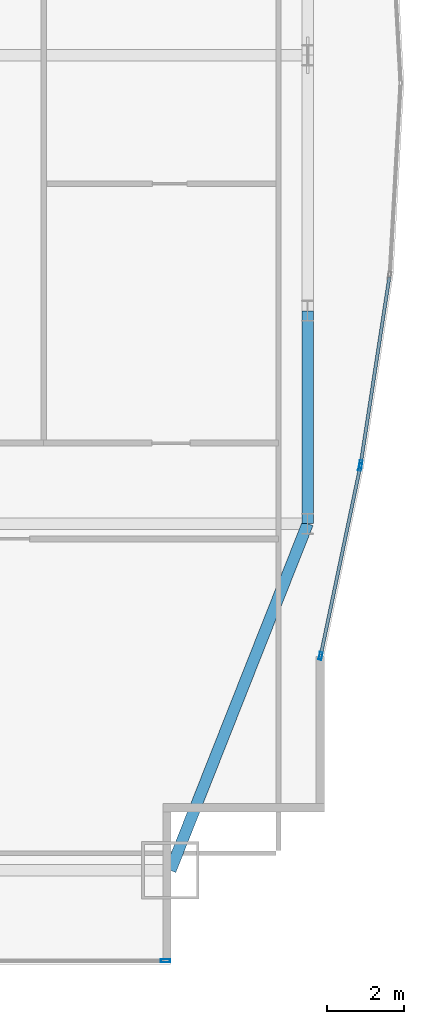
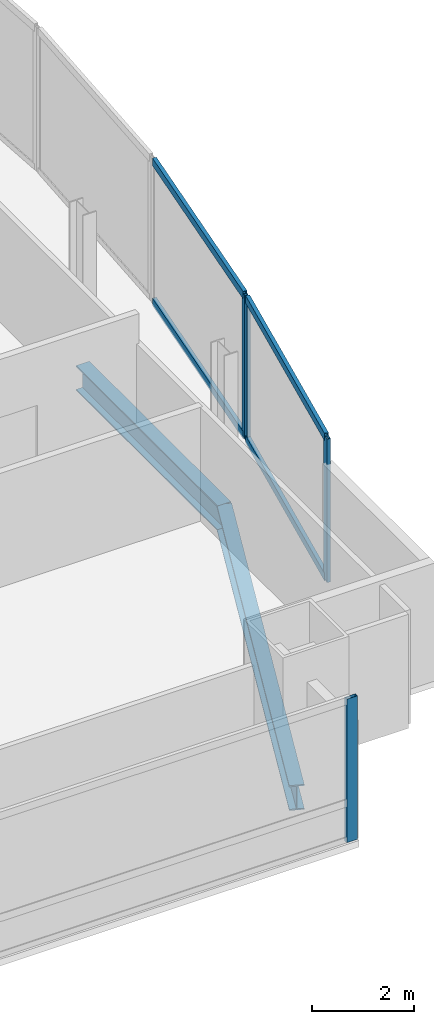
# One storey, part 21 of 33: 8 members, 2 beams, 3 elements without a shape of their own.
"""IFC4 building model written with IfcOpenShell, lengths in metres."""

from ifc_helpers import new_model, si_unit, direction, frame, origin, origin_2d, place, context, subcontext, project, spatial, hollow_rectangle, i_section, extrude, material, material_profile, profile_set, type_object, element, aggregate, save


model = new_model("IFC4")

# Units and contexts
model_context = context("Model", 3, precision=1e-05, world=origin(), true_north=direction((0.0, 1.0)))
body_context = subcontext(model_context, "Body", "Model", "MODEL_VIEW")
ifc_project = project(units=[si_unit("LENGTHUNIT", "METRE"), si_unit("AREAUNIT", "SQUARE_METRE"), si_unit("VOLUMEUNIT", "CUBIC_METRE"), si_unit("PLANEANGLEUNIT", "RADIAN"), si_unit("MASSUNIT", "GRAM", prefix="KILO")], contexts=[model_context])

# Site, building, storey
site_placement = place(None, origin())
site = spatial("IfcSite", under=ifc_project, at=site_placement, CompositionType="ELEMENT")
building_placement = place(site_placement, origin())
building = spatial("IfcBuilding", under=site, at=building_placement, Name="Khoronbel Lancet Exchange", CompositionType="ELEMENT")
storey_placement = place(building_placement, frame((0.0, 0.0, 114.60009765625)))
storey = spatial("IfcBuildingStorey", under=building, at=storey_placement, Name="L27", CompositionType="ELEMENT", Elevation=114.60009765625)

# Beams
ifc_material_1 = material(Name="Steel S355", Category="steel")
ifc_material_profile_1 = material_profile(ifc_material_1, i_section(OverallWidth=0.300048828125, OverallDepth=0.60009765625, WebThickness=0.015380859375, FlangeThickness=0.030029296875, at=origin_2d()), Name="HEB 600")
ifc_profile_set_1 = profile_set([ifc_material_profile_1], Name="Steel S355")
beam_type = type_object("IfcBeamType", Name="BM-BSP2", PredefinedType="SPANDREL", material=ifc_profile_set_1)
beam_1_placement = place(storey_placement, frame((66.050048828125, 10.14990234375, -0.460205078125), z_axis=(0.367828403855, 0.929893684954, 0.0), x_axis=(-0.929893684954, 0.367828403855, 0.0)))
element("IfcBeam", 1, at=beam_1_placement, inside=storey, type_object=beam_type, Name="Level L27 perimeter spandrel beam SP10", PredefinedType="SPANDREL", context=body_context, shape_type="SweptSolid", body=[
    extrude(i_section(OverallWidth=0.300048828125, OverallDepth=0.60009765625, WebThickness=0.015380859375, FlangeThickness=0.030029296875, at=origin_2d()), origin(), (0.0, 0.0, 1.0), 9.732421875),
])
beam_2_placement = place(storey_placement, frame((69.6298828125, 19.199951171875, -0.460205078125), z_axis=(0.0, 1.0, 0.0), x_axis=(-1.0, 0.0, 0.0)))
element("IfcBeam", 2, at=beam_2_placement, inside=storey, type_object=beam_type, Name="Level L27 perimeter spandrel beam SP11", PredefinedType="SPANDREL", context=body_context, shape_type="SweptSolid", body=[
    extrude(i_section(OverallWidth=0.300048828125, OverallDepth=0.60009765625, WebThickness=0.015380859375, FlangeThickness=0.030029296875, at=origin_2d()), origin(), (0.0, 0.0, 1.0), 5.550048828125),
])

# Curtain wall, member
ifc_material_2 = material(Name="Low-E Solar Control Insulating Glass", Category="glass")
curtain_wall_type_1 = type_object("IfcCurtainWallType", Name="CW-2", PredefinedType="NOTDEFINED", material=ifc_material_2)
curtain_wall_1_placement = place(storey_placement, origin())
curtain_wall_1 = element("IfcCurtainWall", 3, at=curtain_wall_1_placement, inside=storey, type_object=curtain_wall_type_1, Name="Unitised curtain wall CW-L27-SEV", PredefinedType="NOTDEFINED")
ifc_material_3 = material(Name="Bronze-Anodised Aluminium 6063-T6", Category="aluminium")
ifc_material_profile_2 = material_profile(ifc_material_3, hollow_rectangle(XDim=0.0849609375, YDim=0.239990234375, WallThickness=0.006103515625, at=origin_2d()), Name="ALU MULLION 85x240")
ifc_profile_set_2 = profile_set([ifc_material_profile_2], Name="Bronze-Anodised Aluminium 6063-T6")
member_type_1 = type_object("IfcMemberType", Name="MEM-CWM1", PredefinedType="MULLION", material=ifc_profile_set_2)
member_1_placement = place(storey_placement, frame((65.91748046875, 7.7900390625, 0.0), z_axis=(0.0, 0.0, 1.0), x_axis=(0.0, 1.0, 0.0)))
member_1 = element("IfcMember", 4, at=member_1_placement, type_object=member_type_1, Name="CW2 mullion 2", PredefinedType="MULLION", context=body_context, shape_type="SweptSolid", body=[
    extrude(hollow_rectangle(XDim=0.0849609375, YDim=0.239990234375, WallThickness=0.006103515625, at=origin_2d()), origin(), (0.0, 0.0, 1.0), 3.43994140625),
])
aggregate(curtain_wall_1, [member_1])

curtain_wall_type_2 = type_object("IfcCurtainWallType", Name="CW-4", PredefinedType="NOTDEFINED", material=ifc_material_2)
curtain_wall_2_placement = place(storey_placement, origin())
curtain_wall_2 = element("IfcCurtainWall", 5, at=curtain_wall_2_placement, inside=storey, type_object=curtain_wall_type_2, Name="Unitised curtain wall CW-L27-E21", PredefinedType="NOTDEFINED")
ifc_material_profile_3 = material_profile(ifc_material_3, hollow_rectangle(XDim=0.074951171875, YDim=0.199951171875, WallThickness=0.0048828125, at=origin_2d()), Name="ALU MULLION 75x200")
ifc_profile_set_3 = profile_set([ifc_material_profile_3], Name="Bronze-Anodised Aluminium 6063-T6")
member_type_2 = type_object("IfcMemberType", Name="MEM-CWM2", PredefinedType="MULLION", material=ifc_profile_set_3)
member_2_placement = place(storey_placement, frame((71.013916015625, 20.753173828125, 0.0), z_axis=(0.0, 0.0, 1.0), x_axis=(0.988454851149, -0.151515699646, 0.0)))
member_2 = element("IfcMember", 6, at=member_2_placement, type_object=member_type_2, Name="CW4 mullion 2", PredefinedType="MULLION", context=body_context, shape_type="SweptSolid", body=[
    extrude(hollow_rectangle(XDim=0.074951171875, YDim=0.199951171875, WallThickness=0.0048828125, at=origin_2d()), origin(), (0.0, 0.0, 1.0), 3.43994140625),
])

# Curtain wall, members
curtain_wall_3_placement = place(storey_placement, origin())
curtain_wall_3 = element("IfcCurtainWall", 7, at=curtain_wall_3_placement, inside=storey, type_object=curtain_wall_type_2, Name="Unitised curtain wall CW-L27-E22", PredefinedType="NOTDEFINED")
member_3_placement = place(storey_placement, frame((71.00048828125, 20.679443359375, 0.0), z_axis=(0.0, 0.0, 1.0), x_axis=(0.978780231613, -0.204912806344, 0.0)))
member_3 = element("IfcMember", 8, at=member_3_placement, type_object=member_type_2, Name="CW4 mullion 1", PredefinedType="MULLION", context=body_context, shape_type="SweptSolid", body=[
    extrude(hollow_rectangle(XDim=0.074951171875, YDim=0.199951171875, WallThickness=0.0048828125, at=origin_2d()), origin(), (0.0, 0.0, 1.0), 3.43994140625),
])
member_4_placement = place(storey_placement, frame((69.9677734375, 15.74609375, 0.0), z_axis=(0.0, 0.0, 1.0), x_axis=(0.978780231613, -0.204912806344, 0.0)))
member_4 = element("IfcMember", 9, at=member_4_placement, type_object=member_type_2, Name="CW4 mullion 2", PredefinedType="MULLION", context=body_context, shape_type="SweptSolid", body=[
    extrude(hollow_rectangle(XDim=0.074951171875, YDim=0.199951171875, WallThickness=0.0048828125, at=origin_2d()), origin(), (0.0, 0.0, 1.0), 3.43994140625),
])

# Member
ifc_material_profile_4 = material_profile(ifc_material_3, hollow_rectangle(XDim=0.0849609375, YDim=0.179931640625, WallThickness=0.0048828125, at=origin_2d()), Name="ALU TRANSOM 85x180")
ifc_profile_set_4 = profile_set([ifc_material_profile_4], Name="Bronze-Anodised Aluminium 6063-T6")
member_type_3 = type_object("IfcMemberType", Name="MEM-CWT1", PredefinedType="USERDEFINED", material=ifc_profile_set_4)
member_5_placement = place(storey_placement, frame((71.76220703125, 25.63525390625, 0.04248046875), z_axis=(-0.151518190758, -0.988454469295, 0.0), x_axis=(0.988454469295, -0.151518190758, 0.0)))
member_5 = element("IfcMember", 10, at=member_5_placement, type_object=member_type_3, Name="CW4 transom 1.1", ObjectType="TRANSOM", PredefinedType="USERDEFINED", context=body_context, shape_type="SweptSolid", body=[
    extrude(hollow_rectangle(XDim=0.0849609375, YDim=0.179931640625, WallThickness=0.0048828125, at=origin_2d()), origin(), (0.0, 0.0, 1.0), 4.901611328125),
])

member_6_placement = place(storey_placement, frame((71.76220703125, 25.63525390625, 3.3974609375), z_axis=(-0.151518190758, -0.988454469295, 0.0), x_axis=(0.988454469295, -0.151518190758, 0.0)))
member_6 = element("IfcMember", 11, at=member_6_placement, type_object=member_type_3, Name="CW4 transom 1.2", ObjectType="TRANSOM", PredefinedType="USERDEFINED", context=body_context, shape_type="SweptSolid", body=[
    extrude(hollow_rectangle(XDim=0.0849609375, YDim=0.179931640625, WallThickness=0.0048828125, at=origin_2d()), origin(), (0.0, 0.0, 1.0), 4.901611328125),
])

aggregate(curtain_wall_2, [member_2, member_5, member_6])

member_7_placement = place(storey_placement, frame((70.992919921875, 20.642578125, 0.04248046875), z_axis=(-0.204939838042, -0.978774571995, 0.0), x_axis=(0.978774571995, -0.204939838042, 0.0)))
member_7 = element("IfcMember", 12, at=member_7_placement, type_object=member_type_3, Name="CW4 transom 1.1", ObjectType="TRANSOM", PredefinedType="USERDEFINED", context=body_context, shape_type="SweptSolid", body=[
    extrude(hollow_rectangle(XDim=0.0849609375, YDim=0.179931640625, WallThickness=0.0048828125, at=origin_2d()), origin(), (0.0, 0.0, 1.0), 4.96533203125),
])

member_8_placement = place(storey_placement, frame((70.992919921875, 20.642578125, 3.3974609375), z_axis=(-0.204939838042, -0.978774571995, 0.0), x_axis=(0.978774571995, -0.204939838042, 0.0)))
member_8 = element("IfcMember", 13, at=member_8_placement, type_object=member_type_3, Name="CW4 transom 1.2", ObjectType="TRANSOM", PredefinedType="USERDEFINED", context=body_context, shape_type="SweptSolid", body=[
    extrude(hollow_rectangle(XDim=0.0849609375, YDim=0.179931640625, WallThickness=0.0048828125, at=origin_2d()), origin(), (0.0, 0.0, 1.0), 4.96533203125),
])

aggregate(curtain_wall_3, [member_3, member_4, member_7, member_8])

save(model, "model.ifc")
